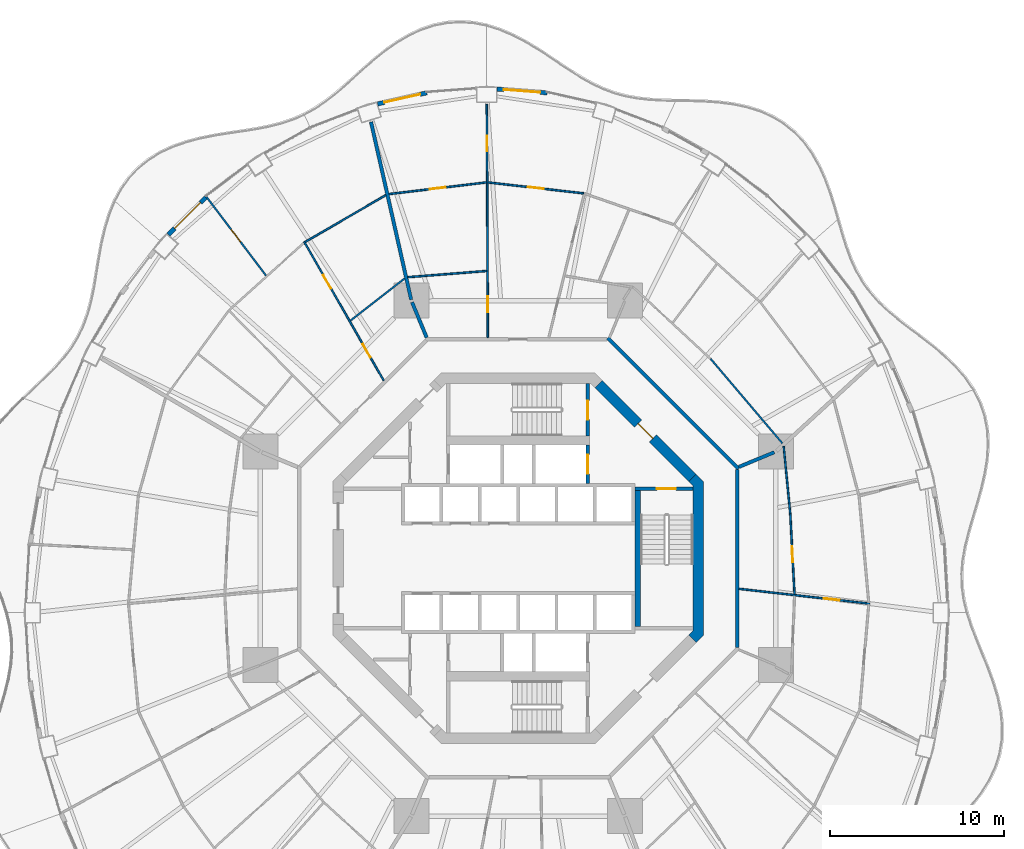
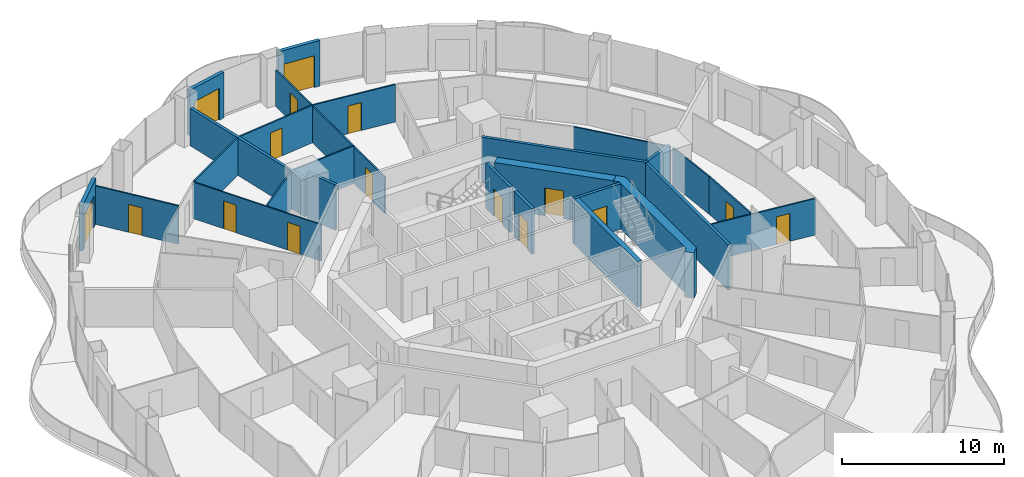
# One storey, part 17 of 21: 26 walls, 16 doors, 16 openings.
"""IFC4 building model written with IfcOpenShell, lengths in metres."""

from ifc_helpers import new_model, si_unit, direction, frame, frame_2d, origin, place, context, subcontext, project, spatial, polyline, rectangle, outline, extrude, material, layer, layer_set, type_object, element, fill, save


model = new_model("IFC4")

# Units and contexts
model_context = context("Model", 3, precision=1e-05, world=origin(), true_north=direction((0.0, 1.0)))
body_context = subcontext(model_context, "Body", "Model", "MODEL_VIEW")
ifc_project = project(units=[si_unit("LENGTHUNIT", "METRE"), si_unit("AREAUNIT", "SQUARE_METRE"), si_unit("VOLUMEUNIT", "CUBIC_METRE"), si_unit("PLANEANGLEUNIT", "RADIAN"), si_unit("MASSUNIT", "GRAM", prefix="KILO")], contexts=[model_context])

# Site, building, storey
site_placement = place(None, origin())
site = spatial("IfcSite", under=ifc_project, at=site_placement, CompositionType="ELEMENT")
building_placement = place(site_placement, origin())
building = spatial("IfcBuilding", under=site, at=building_placement, Name="Nagisa Residences", CompositionType="ELEMENT")
storey_placement = place(building_placement, frame((0.0, 0.0, 134.39990234375)))
storey = spatial("IfcBuildingStorey", under=building, at=storey_placement, Name="L33", CompositionType="ELEMENT", Elevation=134.39990234375)

# Walls
ifc_material_1 = material(Name="Gypsum board on steel studs", Category="steel")
ifc_layer_1 = layer(ifc_material_1, 0.199951171875)
ifc_layer_set_1 = layer_set([ifc_layer_1], Name="Apartment compartment wall EI60 200")
wall_type_1 = type_object("IfcWallType", Name="Apartment compartment wall EI60 200", PredefinedType="PARTITIONING", material=ifc_layer_set_1)
wall_1_placement = place(storey_placement, frame((12.6572265625, 5.24267578125, 0.0), z_axis=(0.0, 0.0, 1.0), x_axis=(0.923876145736, 0.382691608661, 0.0)))
element("IfcWall", 1, at=wall_1_placement, inside=storey, type_object=wall_type_1, Name="wall:L33:u00", PredefinedType="PARTITIONING", context=body_context, shape_type="SweptSolid", body=[
    extrude(rectangle(XDim=2.19970703125, YDim=0.199951171875, at=frame_2d((1.099853515625, 0.0))), origin(), (0.0, 0.0, 1.0), 3.440185546875),
])
wall_2_placement = place(storey_placement, frame((-5.24267578125, 12.6572265625, 0.0), z_axis=(0.0, 0.0, 1.0), x_axis=(-0.38273085373, 0.923859888513, 0.0)))
element("IfcWall", 2, at=wall_2_placement, inside=storey, type_object=wall_type_1, Name="wall:L33:u02", PredefinedType="PARTITIONING", context=body_context, shape_type="SweptSolid", body=[
    extrude(rectangle(XDim=2.199462890625, YDim=0.199951171875, at=frame_2d((1.099609375, 0.0))), origin(), (0.0, 0.0, 1.0), 3.440185546875),
])
wall_3_placement = place(storey_placement, frame((-6.1337890625, 14.830810546875, 0.0), z_axis=(0.0, 0.0, 1.0), x_axis=(-0.220337590808, 0.975423675167, 0.0)))
element("IfcWall", 3, at=wall_3_placement, inside=storey, type_object=wall_type_1, Name="wall:L33:u03", PredefinedType="PARTITIONING", context=body_context, shape_type="SweptSolid", body=[
    extrude(rectangle(XDim=10.450927734375, YDim=0.199951171875, at=frame_2d((5.2255859375, 0.0))), origin(), (0.0, 0.0, 1.0), 2.828125),
])
ifc_material_2 = material(Name="Gypsum board on steel studs", Category="steel")
ifc_layer_2 = layer(ifc_material_2, 0.199951171875)
ifc_layer_set_2 = layer_set([ifc_layer_2], Name="Apartment entry wall EI60 200")
wall_type_2 = type_object("IfcWallType", Name="Apartment entry wall EI60 200", PredefinedType="PARTITIONING", material=ifc_layer_set_2)
wall_4_placement = place(storey_placement, frame((12.564697265625, -5.1044921875, 0.0), z_axis=(0.0, 0.0, 1.0), x_axis=(0.0, 1.0, 0.0)))
element("IfcWall", 4, at=wall_4_placement, inside=storey, type_object=wall_type_2, Name="wall:L33:u10", PredefinedType="PARTITIONING", context=body_context, shape_type="SweptSolid", body=[
    extrude(rectangle(XDim=10.208984375, YDim=0.199951171875, at=frame_2d((5.1044921875, 0.0))), origin(), (0.0, 0.0, 1.0), 3.440185546875),
])
wall_5_placement = place(storey_placement, frame((12.635498046875, 5.1337890625, 0.0), z_axis=(0.0, 0.0, 1.0), x_axis=(-0.707106781187, 0.707106781187, 0.0)))
element("IfcWall", 5, at=wall_5_placement, inside=storey, type_object=wall_type_2, Name="wall:L33:u11", PredefinedType="PARTITIONING", context=body_context, shape_type="SweptSolid", body=[
    extrude(rectangle(XDim=10.609130859375, YDim=0.199951171875, at=frame_2d((5.3046875, 0.0))), origin(), (0.0, 0.0, 1.0), 3.440185546875),
])

# Wall, opening, door
ifc_material_3 = material(Name="Gypsum board on steel studs", Category="steel")
ifc_layer_3 = layer(ifc_material_3, 0.10009765625)
ifc_layer_set_3 = layer_set([ifc_layer_3], Name="Apartment partition 100")
wall_type_3 = type_object("IfcWallType", Name="Apartment partition 100", PredefinedType="PARTITIONING", material=ifc_layer_set_3)
wall_6_placement = place(storey_placement, frame((12.6640625, -1.74609375, 0.0), z_axis=(0.0, 0.0, 1.0), x_axis=(0.993605172276, -0.112910414164, 0.0)))
wall_6 = element("IfcWall", 6, at=wall_6_placement, inside=storey, type_object=wall_type_3, Name="wall:L33:u18", PredefinedType="PARTITIONING", context=body_context, shape_type="SweptSolid", body=[
    extrude(rectangle(XDim=7.544189453125, YDim=0.10009765625, at=frame_2d((3.77197265625, 0.0))), origin(), (0.0, 0.0, 1.0), 2.756103515625),
])
opening_1_placement = place(wall_6_placement, frame((4.900634765625, 0.0, 0.0)))
opening_1 = element("IfcOpeningElement", 7, at=opening_1_placement, cuts=wall_6, Name="Opening L33-U41", PredefinedType="OPENING", context=body_context, shape_type="SweptSolid", body=[
    extrude(rectangle(XDim=0.89990234375, YDim=2.10009765625, at=frame_2d((0.449951171875, 1.050048828125))), frame((0.0, 0.06005859375, 0.0), z_axis=(0.0, -1.0, 0.0), x_axis=(1.0, 0.0, 0.0)), (0.0, 0.0, 1.0), 0.1201171875),
])
ifc_material_4 = material(Name="Timber door set", Category="wood")
door_type_1 = type_object("IfcDoorType", Name="Apartment door 900x2100", OperationType="NOTDEFINED", PredefinedType="DOOR", material=ifc_material_4)
door_1_placement = place(opening_1_placement, origin())
door_1 = element("IfcDoor", 8, at=door_1_placement, inside=storey, type_object=door_type_1, Name="Door to kitchen, Apartment 33D", OperationType="SINGLE_SWING_LEFT", OverallHeight=2.10009765625, OverallWidth=0.89990234375, PredefinedType="DOOR", context=body_context, shape_type="SweptSolid", body=[
    extrude(rectangle(XDim=0.89990234375, YDim=2.10009765625, at=frame_2d((0.449951171875, 1.050048828125))), frame((0.0, 0.02490234375, 0.0), z_axis=(0.0, -1.0, 0.0), x_axis=(1.0, 0.0, 0.0)), (0.0, 0.0, 1.0), 0.050048828125),
])
fill(opening_1, door_1)

wall_7_placement = place(storey_placement, frame((15.84814453125, -2.058349609375, 0.0), z_axis=(0.0, 0.0, 1.0), x_axis=(-0.052509224895, 0.998620439056, 0.0)))
wall_7 = element("IfcWall", 9, at=wall_7_placement, inside=storey, type_object=wall_type_3, Name="wall:L33:u19", PredefinedType="PARTITIONING", context=body_context, shape_type="SweptSolid", body=[
    extrude(rectangle(XDim=4.6494140625, YDim=0.10009765625, at=frame_2d((2.32470703125, 0.0))), origin(), (0.0, 0.0, 1.0), 2.828125),
])
opening_2_placement = place(wall_7_placement, frame((1.849609375, 0.0, 0.0)))
opening_2 = element("IfcOpeningElement", 10, at=opening_2_placement, cuts=wall_7, Name="Opening L33-U43", PredefinedType="OPENING", context=body_context, shape_type="SweptSolid", body=[
    extrude(rectangle(XDim=0.89990234375, YDim=2.10009765625, at=frame_2d((0.449951171875, 1.050048828125))), frame((0.0, 0.06005859375, 0.0), z_axis=(0.0, -1.0, 0.0), x_axis=(1.0, 0.0, 0.0)), (0.0, 0.0, 1.0), 0.1201171875),
])
door_2_placement = place(opening_2_placement, origin())
door_2 = element("IfcDoor", 11, at=door_2_placement, inside=storey, type_object=door_type_1, Name="Door to laundry, Apartment 33D", OperationType="SINGLE_SWING_LEFT", OverallHeight=2.10009765625, OverallWidth=0.89990234375, PredefinedType="DOOR", context=body_context, shape_type="SweptSolid", body=[
    extrude(rectangle(XDim=0.89990234375, YDim=2.10009765625, at=frame_2d((0.449951171875, 1.050048828125))), frame((0.0, 0.02490234375, 0.0), z_axis=(0.0, -1.0, 0.0), x_axis=(1.0, 0.0, 0.0)), (0.0, 0.0, 1.0), 0.050048828125),
])
fill(opening_2, door_2)

# Walls
wall_8_placement = place(storey_placement, frame((15.601806640625, 2.58447265625, 0.0), z_axis=(0.0, 0.0, 1.0), x_axis=(-0.097196343206, 0.995265226393, 0.0)))
element("IfcWall", 12, at=wall_8_placement, inside=storey, type_object=wall_type_3, Name="wall:L33:u23", PredefinedType="PARTITIONING", context=body_context, shape_type="SweptSolid", body=[
    extrude(rectangle(XDim=3.855712890625, YDim=0.10009765625, at=frame_2d((1.927734375, 0.0))), origin(), (0.0, 0.0, 1.0), 2.828125),
])
wall_9_placement = place(storey_placement, frame((15.152587890625, 6.597412109375, 0.0), z_axis=(0.0, 0.0, 1.0), x_axis=(-0.647372160855, 0.762174051874, 0.0)))
element("IfcWall", 13, at=wall_9_placement, inside=storey, type_object=wall_type_3, Name="wall:L33:u26", PredefinedType="PARTITIONING", context=body_context, shape_type="SweptSolid", body=[
    extrude(rectangle(XDim=6.36279296875, YDim=0.10009765625, at=frame_2d((3.181396484375, 0.0))), origin(), (0.0, 0.0, 1.0), 2.828125),
])

# Wall, opening, door
wall_10_placement = place(storey_placement, frame((3.75146484375, 20.930419921875, 0.0), z_axis=(0.0, 0.0, 1.0), x_axis=(-0.993522105273, 0.113639017658, 0.0)))
wall_10 = element("IfcWall", 14, at=wall_10_placement, inside=storey, type_object=wall_type_3, Name="wall:L33:u38", PredefinedType="PARTITIONING", context=body_context, shape_type="SweptSolid", body=[
    extrude(rectangle(XDim=5.5126953125, YDim=0.10009765625, at=frame_2d((2.75634765625, 0.0))), origin(), (0.0, 0.0, 1.0), 2.828125),
])
opening_3_placement = place(wall_10_placement, frame((2.306396484375, 0.0, 0.0)))
opening_3 = element("IfcOpeningElement", 15, at=opening_3_placement, cuts=wall_10, Name="Opening L33-U48", PredefinedType="OPENING", context=body_context, shape_type="SweptSolid", body=[
    extrude(rectangle(XDim=0.89990234375, YDim=2.10009765625, at=frame_2d((0.449951171875, 1.050048828125))), frame((0.0, 0.06005859375, 0.0), z_axis=(0.0, -1.0, 0.0), x_axis=(1.0, 0.0, 0.0)), (0.0, 0.0, 1.0), 0.1201171875),
])
door_3_placement = place(opening_3_placement, frame((0.89990234375, 0.0, 0.0), x_axis=(-1.0, 0.0, 0.0)))
door_3 = element("IfcDoor", 16, at=door_3_placement, inside=storey, type_object=door_type_1, Name="Door to living room, Apartment 33E", OperationType="SINGLE_SWING_LEFT", OverallHeight=2.10009765625, OverallWidth=0.89990234375, PredefinedType="DOOR", context=body_context, shape_type="SweptSolid", body=[
    extrude(rectangle(XDim=0.89990234375, YDim=2.10009765625, at=frame_2d((0.449951171875, 1.050048828125))), frame((0.0, 0.02490234375, 0.0), z_axis=(0.0, -1.0, 0.0), x_axis=(1.0, 0.0, 0.0)), (0.0, 0.0, 1.0), 0.050048828125),
])
fill(opening_3, door_3)

# Wall, openings, doors
wall_11_placement = place(storey_placement, frame((-1.7353515625, 12.664794921875, 0.0), z_axis=(0.0, 0.0, 1.0), x_axis=(-0.004494500855, 0.99998989968, 0.0)))
wall_11 = element("IfcWall", 17, at=wall_11_placement, inside=storey, type_object=wall_type_3, Name="wall:L33:u39", PredefinedType="PARTITIONING", context=body_context, shape_type="SweptSolid", body=[
    extrude(rectangle(XDim=13.36279296875, YDim=0.10009765625, at=frame_2d((6.681396484375, 0.0))), origin(), (0.0, 0.0, 1.0), 2.756103515625),
])
opening_4_placement = place(wall_11_placement, frame((1.459228515625, 0.0, 0.0)))
opening_4 = element("IfcOpeningElement", 18, at=opening_4_placement, cuts=wall_11, Name="Opening L33-U46", PredefinedType="OPENING", context=body_context, shape_type="SweptSolid", body=[
    extrude(rectangle(XDim=0.89990234375, YDim=2.10009765625, at=frame_2d((0.449951171875, 1.050048828125))), frame((0.0, 0.06005859375, 0.0), z_axis=(0.0, -1.0, 0.0), x_axis=(1.0, 0.0, 0.0)), (0.0, 0.0, 1.0), 0.1201171875),
])
opening_5_placement = place(wall_11_placement, frame((10.680419921875, 0.0, 0.0)))
opening_5 = element("IfcOpeningElement", 19, at=opening_5_placement, cuts=wall_11, Name="Opening L33-U49", PredefinedType="OPENING", context=body_context, shape_type="SweptSolid", body=[
    extrude(rectangle(XDim=0.89990234375, YDim=2.10009765625, at=frame_2d((0.449951171875, 1.050048828125))), frame((0.0, 0.06005859375, 0.0), z_axis=(0.0, -1.0, 0.0), x_axis=(1.0, 0.0, 0.0)), (0.0, 0.0, 1.0), 0.1201171875),
])
door_4_placement = place(opening_4_placement, origin())
door_4 = element("IfcDoor", 20, at=door_4_placement, inside=storey, type_object=door_type_1, Name="Door to store, Apartment 33E", OperationType="SINGLE_SWING_RIGHT", OverallHeight=2.10009765625, OverallWidth=0.89990234375, PredefinedType="DOOR", context=body_context, shape_type="SweptSolid", body=[
    extrude(rectangle(XDim=0.89990234375, YDim=2.10009765625, at=frame_2d((0.449951171875, 1.050048828125))), frame((0.0, 0.02490234375, 0.0), z_axis=(0.0, -1.0, 0.0), x_axis=(1.0, 0.0, 0.0)), (0.0, 0.0, 1.0), 0.050048828125),
])
fill(opening_4, door_4)
door_5_placement = place(opening_5_placement, origin())
door_5 = element("IfcDoor", 21, at=door_5_placement, inside=storey, type_object=door_type_1, Name="Door to bedroom, Apartment 33E", OperationType="SINGLE_SWING_LEFT", OverallHeight=2.10009765625, OverallWidth=0.89990234375, PredefinedType="DOOR", context=body_context, shape_type="SweptSolid", body=[
    extrude(rectangle(XDim=0.89990234375, YDim=2.10009765625, at=frame_2d((0.449951171875, 1.050048828125))), frame((0.0, 0.02490234375, 0.0), z_axis=(0.0, -1.0, 0.0), x_axis=(1.0, 0.0, 0.0)), (0.0, 0.0, 1.0), 0.050048828125),
])
fill(opening_5, door_5)

# Wall
wall_12_placement = place(storey_placement, frame((-1.80224609375, 16.479248046875, 0.0), z_axis=(0.0, 0.0, 1.0), x_axis=(-0.996907698294, -0.078581429625, 0.0)))
element("IfcWall", 22, at=wall_12_placement, inside=storey, type_object=wall_type_3, Name="wall:L33:u40", PredefinedType="PARTITIONING", context=body_context, shape_type="SweptSolid", body=[
    extrude(rectangle(XDim=4.535888671875, YDim=0.10009765625, at=frame_2d((2.26806640625, 0.0))), origin(), (0.0, 0.0, 1.0), 2.828125),
])

# Wall, opening, door
wall_13_placement = place(storey_placement, frame((-1.824951171875, 21.556640625, 0.0), z_axis=(0.0, 0.0, 1.0), x_axis=(-0.992915053711, -0.11882632753, 0.0)))
wall_13 = element("IfcWall", 23, at=wall_13_placement, inside=storey, type_object=wall_type_3, Name="wall:L33:u41", PredefinedType="PARTITIONING", context=body_context, shape_type="SweptSolid", body=[
    extrude(rectangle(XDim=5.615234375, YDim=0.10009765625, at=frame_2d((2.8076171875, 0.0))), origin(), (0.0, 0.0, 1.0), 2.828125),
])
opening_6_placement = place(wall_13_placement, frame((2.357666015625, 0.0, 0.0)))
opening_6 = element("IfcOpeningElement", 24, at=opening_6_placement, cuts=wall_13, Name="Opening L33-U51", PredefinedType="OPENING", context=body_context, shape_type="SweptSolid", body=[
    extrude(rectangle(XDim=0.89990234375, YDim=2.10009765625, at=frame_2d((0.449951171875, 1.050048828125))), frame((0.0, 0.06005859375, 0.0), z_axis=(0.0, -1.0, 0.0), x_axis=(1.0, 0.0, 0.0)), (0.0, 0.0, 1.0), 0.1201171875),
])
door_6_placement = place(opening_6_placement, origin())
door_6 = element("IfcDoor", 25, at=door_6_placement, inside=storey, type_object=door_type_1, Name="Door to en-suite bathroom, Apartment 33E", OperationType="SINGLE_SWING_LEFT", OverallHeight=2.10009765625, OverallWidth=0.89990234375, PredefinedType="DOOR", context=body_context, shape_type="SweptSolid", body=[
    extrude(rectangle(XDim=0.89990234375, YDim=2.10009765625, at=frame_2d((0.449951171875, 1.050048828125))), frame((0.0, 0.02490234375, 0.0), z_axis=(0.0, -1.0, 0.0), x_axis=(1.0, 0.0, 0.0)), (0.0, 0.0, 1.0), 0.050048828125),
])
fill(opening_6, door_6)

# Walls
wall_14_placement = place(storey_placement, frame((-6.5029296875, 16.0537109375, 0.0), z_axis=(0.0, 0.0, 1.0), x_axis=(-0.789428807693, -0.613842127574, 0.0)))
element("IfcWall", 26, at=wall_14_placement, inside=storey, type_object=wall_type_3, Name="wall:L33:u42", PredefinedType="PARTITIONING", context=body_context, shape_type="SweptSolid", body=[
    extrude(rectangle(XDim=3.947509765625, YDim=0.10009765625, at=frame_2d((1.9736328125, 0.0))), origin(), (0.0, 0.0, 1.0), 2.828125),
])
wall_15_placement = place(storey_placement, frame((-7.586181640625, 20.827392578125, 0.0), z_axis=(0.0, 0.0, 1.0), x_axis=(-0.865093450578, -0.501610727325, 0.0)))
element("IfcWall", 27, at=wall_15_placement, inside=storey, type_object=wall_type_3, Name="wall:L33:u43", PredefinedType="PARTITIONING", context=body_context, shape_type="SweptSolid", body=[
    extrude(rectangle(XDim=5.343017578125, YDim=0.10009765625, at=frame_2d((2.67138671875, 0.0))), origin(), (0.0, 0.0, 1.0), 2.828125),
])

# Wall, openings, doors
wall_16_placement = place(storey_placement, frame((-7.707763671875, 10.197998046875, 0.0), z_axis=(0.0, 0.0, 1.0), x_axis=(-0.497449462689, 0.867492957937, 0.0)))
wall_16 = element("IfcWall", 28, at=wall_16_placement, inside=storey, type_object=wall_type_3, Name="wall:L33:u44", PredefinedType="PARTITIONING", context=body_context, shape_type="SweptSolid", body=[
    extrude(rectangle(XDim=9.1845703125, YDim=0.10009765625, at=frame_2d((4.59228515625, 0.0))), origin(), (0.0, 0.0, 1.0), 2.756103515625),
])
opening_7_placement = place(wall_16_placement, frame((1.5107421875, 0.0, 0.0)))
opening_7 = element("IfcOpeningElement", 29, at=opening_7_placement, cuts=wall_16, Name="Opening L33-U02", PredefinedType="OPENING", context=body_context, shape_type="SweptSolid", body=[
    extrude(rectangle(XDim=0.89990234375, YDim=2.10009765625, at=frame_2d((0.449951171875, 1.050048828125))), frame((0.0, 0.06005859375, 0.0), z_axis=(0.0, -1.0, 0.0), x_axis=(1.0, 0.0, 0.0)), (0.0, 0.0, 1.0), 0.1201171875),
])
opening_8_placement = place(wall_16_placement, frame((6.077880859375, 0.0, 0.0)))
opening_8 = element("IfcOpeningElement", 30, at=opening_8_placement, cuts=wall_16, Name="Opening L33-U04", PredefinedType="OPENING", context=body_context, shape_type="SweptSolid", body=[
    extrude(rectangle(XDim=0.89990234375, YDim=2.10009765625, at=frame_2d((0.449951171875, 1.050048828125))), frame((0.0, 0.06005859375, 0.0), z_axis=(0.0, -1.0, 0.0), x_axis=(1.0, 0.0, 0.0)), (0.0, 0.0, 1.0), 0.1201171875),
])
door_7_placement = place(opening_7_placement, frame((0.89990234375, 0.0, 0.0), x_axis=(-1.0, 0.0, 0.0)))
door_7 = element("IfcDoor", 31, at=door_7_placement, inside=storey, type_object=door_type_1, Name="Door to family bathroom, Apartment 33A", OperationType="SINGLE_SWING_LEFT", OverallHeight=2.10009765625, OverallWidth=0.89990234375, PredefinedType="DOOR", context=body_context, shape_type="SweptSolid", body=[
    extrude(rectangle(XDim=0.89990234375, YDim=2.10009765625, at=frame_2d((0.449951171875, 1.050048828125))), frame((0.0, 0.02490234375, 0.0), z_axis=(0.0, -1.0, 0.0), x_axis=(1.0, 0.0, 0.0)), (0.0, 0.0, 1.0), 0.050048828125),
])
fill(opening_7, door_7)
door_8_placement = place(opening_8_placement, frame((0.89990234375, 0.0, 0.0), x_axis=(-1.0, 0.0, 0.0)))
door_8 = element("IfcDoor", 32, at=door_8_placement, inside=storey, type_object=door_type_1, Name="Door to kitchen, Apartment 33A", OperationType="SINGLE_SWING_LEFT", OverallHeight=2.10009765625, OverallWidth=0.89990234375, PredefinedType="DOOR", context=body_context, shape_type="SweptSolid", body=[
    extrude(rectangle(XDim=0.89990234375, YDim=2.10009765625, at=frame_2d((0.449951171875, 1.050048828125))), frame((0.0, 0.02490234375, 0.0), z_axis=(0.0, -1.0, 0.0), x_axis=(1.0, 0.0, 0.0)), (0.0, 0.0, 1.0), 0.050048828125),
])
fill(opening_8, door_8)

# Wall, opening, door
wall_17_placement = place(storey_placement, frame((-14.451904296875, 16.208251953125, 0.0), z_axis=(0.0, 0.0, 1.0), x_axis=(-0.603267974074, 0.797538557975, 0.0)))
wall_17 = element("IfcWall", 33, at=wall_17_placement, inside=storey, type_object=wall_type_3, Name="wall:L33:u46", PredefinedType="PARTITIONING", context=body_context, shape_type="SweptSolid", body=[
    extrude(rectangle(XDim=5.764404296875, YDim=0.10009765625, at=frame_2d((2.88232421875, 0.0))), origin(), (0.0, 0.0, 1.0), 2.905029296875),
])
opening_9_placement = place(wall_17_placement, frame((2.432373046875, 0.0, 0.0)))
opening_9 = element("IfcOpeningElement", 34, at=opening_9_placement, cuts=wall_17, Name="Opening L33-U07", PredefinedType="OPENING", context=body_context, shape_type="SweptSolid", body=[
    extrude(rectangle(XDim=0.89990234375, YDim=2.10009765625, at=frame_2d((0.449951171875, 1.050048828125))), frame((0.0, 0.06005859375, 0.0), z_axis=(0.0, -1.0, 0.0), x_axis=(1.0, 0.0, 0.0)), (0.0, 0.0, 1.0), 0.1201171875),
])
door_9_placement = place(opening_9_placement, origin())
door_9 = element("IfcDoor", 35, at=door_9_placement, inside=storey, type_object=door_type_1, Name="Door to master bedroom, Apartment 33A", OperationType="SINGLE_SWING_LEFT", OverallHeight=2.10009765625, OverallWidth=0.89990234375, PredefinedType="DOOR", context=body_context, shape_type="SweptSolid", body=[
    extrude(rectangle(XDim=0.89990234375, YDim=2.10009765625, at=frame_2d((0.449951171875, 1.050048828125))), frame((0.0, 0.02490234375, 0.0), z_axis=(0.0, -1.0, 0.0), x_axis=(1.0, 0.0, 0.0)), (0.0, 0.0, 1.0), 0.050048828125),
])
fill(opening_9, door_9)

ifc_material_5 = material(Name="Precast concrete C40/50", Category="concrete")
ifc_layer_4 = layer(ifc_material_5, 0.25)
ifc_layer_set_4 = layer_set([ifc_layer_4], Name="BALCONY DOOR WALL 250")
wall_type_4 = type_object("IfcWallType", Name="BALCONY DOOR WALL 250", PredefinedType="SOLIDWALL", material=ifc_layer_set_4)
wall_18_placement = place(storey_placement, frame((-1.2109375, 26.907958984375, 0.0), z_axis=(0.0, 0.0, 1.0), x_axis=(0.997232166829, -0.074350557769, 0.0)))
wall_18 = element("IfcWall", 36, at=wall_18_placement, inside=storey, type_object=wall_type_4, Name="wall:L33:bay11", PredefinedType="SOLIDWALL", context=body_context, shape_type="SweptSolid", body=[
    extrude(rectangle(XDim=2.873291015625, YDim=0.25, at=frame_2d((1.4365234375, 0.0))), origin(), (0.0, 0.0, 1.0), 3.440185546875),
])
opening_10_placement = place(wall_18_placement, frame((0.386474609375, 0.0, 0.0)))
opening_10 = element("IfcOpeningElement", 37, at=opening_10_placement, cuts=wall_18, Name="Opening BD-L33-04", PredefinedType="OPENING", context=body_context, shape_type="SweptSolid", body=[
    extrude(rectangle(XDim=2.10009765625, YDim=2.39990234375, at=frame_2d((1.050048828125, 1.199951171875))), frame((0.0, 0.135009765625, 0.0), z_axis=(0.0, -1.0, 0.0), x_axis=(1.0, 0.0, 0.0)), (0.0, 0.0, 1.0), 0.27001953125),
])
ifc_material_6 = material(Name="Aluminium and clear glass", Category="aluminium")
door_type_2 = type_object("IfcDoorType", Name="BALCONY SLIDING DOOR 2100x2400", OperationType="SLIDING_TO_LEFT", PredefinedType="DOOR", material=ifc_material_6)
door_10_placement = place(opening_10_placement, origin())
door_10 = element("IfcDoor", 38, at=door_10_placement, inside=storey, type_object=door_type_2, Name="door:L33:bay11", OperationType="SLIDING_TO_LEFT", OverallHeight=2.39990234375, OverallWidth=2.10009765625, PredefinedType="DOOR", context=body_context, shape_type="SweptSolid", body=[
    extrude(rectangle(XDim=2.10009765625, YDim=2.39990234375, at=frame_2d((1.050048828125, 1.199951171875))), frame((0.0, 0.02490234375, 0.0), z_axis=(0.0, -1.0, 0.0), x_axis=(1.0, 0.0, 0.0)), (0.0, 0.0, 1.0), 0.050048828125),
])
fill(opening_10, door_10)

wall_19_placement = place(storey_placement, frame((-8.054931640625, 26.05908203125, 0.0), z_axis=(0.0, 0.0, 1.0), x_axis=(0.975339035722, 0.220711951186, 0.0)))
wall_19 = element("IfcWall", 39, at=wall_19_placement, inside=storey, type_object=wall_type_4, Name="wall:L33:bay13", PredefinedType="SOLIDWALL", context=body_context, shape_type="SweptSolid", body=[
    extrude(rectangle(XDim=2.890380859375, YDim=0.25, at=frame_2d((1.4453125, 0.0))), origin(), (0.0, 0.0, 1.0), 3.440185546875),
])
opening_11_placement = place(wall_19_placement, frame((0.395263671875, 0.0, 0.0)))
opening_11 = element("IfcOpeningElement", 40, at=opening_11_placement, cuts=wall_19, Name="Opening BD-L33-05", PredefinedType="OPENING", context=body_context, shape_type="SweptSolid", body=[
    extrude(rectangle(XDim=2.10009765625, YDim=2.39990234375, at=frame_2d((1.050048828125, 1.199951171875))), frame((0.0, 0.135009765625, 0.0), z_axis=(0.0, -1.0, 0.0), x_axis=(1.0, 0.0, 0.0)), (0.0, 0.0, 1.0), 0.27001953125),
])
door_11_placement = place(opening_11_placement, origin())
door_11 = element("IfcDoor", 41, at=door_11_placement, inside=storey, type_object=door_type_2, Name="door:L33:bay13", OperationType="SLIDING_TO_LEFT", OverallHeight=2.39990234375, OverallWidth=2.10009765625, PredefinedType="DOOR", context=body_context, shape_type="SweptSolid", body=[
    extrude(rectangle(XDim=2.10009765625, YDim=2.39990234375, at=frame_2d((1.050048828125, 1.199951171875))), frame((0.0, 0.02490234375, 0.0), z_axis=(0.0, -1.0, 0.0), x_axis=(1.0, 0.0, 0.0)), (0.0, 0.0, 1.0), 0.050048828125),
])
fill(opening_11, door_11)

wall_20_placement = place(storey_placement, frame((-20.050048828125, 18.56884765625, 0.0), z_axis=(0.0, 0.0, 1.0), x_axis=(0.707857823335, 0.706354940482, 0.0)))
wall_20 = element("IfcWall", 42, at=wall_20_placement, inside=storey, type_object=wall_type_4, Name="wall:L33:bay17", PredefinedType="SOLIDWALL", context=body_context, shape_type="SweptSolid", body=[
    extrude(rectangle(XDim=3.08642578125, YDim=0.25, at=frame_2d((1.543212890625, 0.0))), origin(), (0.0, 0.0, 1.0), 3.440185546875),
])
opening_12_placement = place(wall_20_placement, frame((0.493408203125, 0.0, 0.0)))
opening_12 = element("IfcOpeningElement", 43, at=opening_12_placement, cuts=wall_20, Name="Opening BD-L33-06", PredefinedType="OPENING", context=body_context, shape_type="SweptSolid", body=[
    extrude(rectangle(XDim=2.10009765625, YDim=2.39990234375, at=frame_2d((1.050048828125, 1.199951171875))), frame((0.0, 0.135009765625, 0.0), z_axis=(0.0, -1.0, 0.0), x_axis=(1.0, 0.0, 0.0)), (0.0, 0.0, 1.0), 0.27001953125),
])
door_12_placement = place(opening_12_placement, origin())
door_12 = element("IfcDoor", 44, at=door_12_placement, inside=storey, type_object=door_type_2, Name="door:L33:bay17", OperationType="SLIDING_TO_LEFT", OverallHeight=2.39990234375, OverallWidth=2.10009765625, PredefinedType="DOOR", context=body_context, shape_type="SweptSolid", body=[
    extrude(rectangle(XDim=2.10009765625, YDim=2.39990234375, at=frame_2d((1.050048828125, 1.199951171875))), frame((0.0, 0.02490234375, 0.0), z_axis=(0.0, -1.0, 0.0), x_axis=(1.0, 0.0, 0.0)), (0.0, 0.0, 1.0), 0.050048828125),
])
fill(opening_12, door_12)

ifc_material_7 = material(Name="Concrete C60", Category="concrete")
ifc_layer_5 = layer(ifc_material_7, 0.60009765625)
ifc_layer_set_5 = layer_set([ifc_layer_5], Name="Core shear wall 600")
wall_type_5 = type_object("IfcWallType", Name="Core shear wall 600", PredefinedType="SHEAR", material=ifc_layer_set_5)
wall_21_placement = place(storey_placement, frame((9.98828125, 4.613037109375, 0.0), z_axis=(0.0, 0.0, 1.0), x_axis=(-0.707106781187, 0.707106781187, 0.0)))
wall_21 = element("IfcWall", 45, at=wall_21_placement, inside=storey, type_object=wall_type_5, Name="wall:L33:core:flat1", PredefinedType="SHEAR", context=body_context, shape_type="SweptSolid", body=[
    extrude(rectangle(XDim=7.601806640625, YDim=0.60009765625, at=frame_2d((3.80078125, 0.0))), origin(), (0.0, 0.0, 1.0), 3.440185546875),
])
opening_13_placement = place(wall_21_placement, frame((3.200927734375, 0.0, 0.0)))
opening_13 = element("IfcOpeningElement", 46, at=opening_13_placement, cuts=wall_21, Name="Opening L33-C17", PredefinedType="OPENING", context=body_context, shape_type="SweptSolid", body=[
    extrude(rectangle(XDim=1.199951171875, YDim=2.10009765625, at=frame_2d((0.60009765625, 1.050048828125))), frame((0.0, 0.31005859375, 0.0), z_axis=(0.0, -1.0, 0.0), x_axis=(1.0, 0.0, 0.0)), (0.0, 0.0, 1.0), 0.6201171875),
])
ifc_material_8 = material(Name="Steel fire door", Category="steel")
door_type_3 = type_object("IfcDoorType", Name="Fire door EI60 1200x2100 single swing", OperationType="NOTDEFINED", PredefinedType="DOOR", material=ifc_material_8)
door_13_placement = place(opening_13_placement, origin())
door_13 = element("IfcDoor", 47, at=door_13_placement, inside=storey, type_object=door_type_3, Name="Firefighting lobby 1 door L33", OperationType="SINGLE_SWING_LEFT", OverallHeight=2.10009765625, OverallWidth=1.199951171875, PredefinedType="DOOR", context=body_context, shape_type="SweptSolid", body=[
    extrude(rectangle(XDim=1.199951171875, YDim=2.10009765625, at=frame_2d((0.60009765625, 1.050048828125))), frame((0.0, 0.02490234375, 0.0), z_axis=(0.0, -1.0, 0.0), x_axis=(1.0, 0.0, 0.0)), (0.0, 0.0, 1.0), 0.050048828125),
])
fill(opening_13, door_13)

# Wall
wall_22_placement = place(storey_placement, origin())
element("IfcWall", 48, at=wall_22_placement, inside=storey, type_object=wall_type_5, Name="wall:L33:core:flat0", PredefinedType="SHEAR", context=body_context, shape_type="SweptSolid", body=[
    extrude(outline(polyline([(9.776123046875, -4.40087890625), (10.024658203125, -4.15234375), (10.024658203125, -3.801025390625), (10.024658203125, 4.15234375), (9.776123046875, 4.40087890625), (10.200439453125, 4.8251953125), (10.62451171875, 4.40087890625), (10.62451171875, -4.40087890625), (10.200439453125, -4.8251953125), (9.776123046875, -4.40087890625)])), origin(), (0.0, 0.0, 1.0), 3.440185546875),
])

# Wall, opening, door
ifc_material_9 = material(Name="Concrete C60", Category="concrete")
ifc_layer_6 = layer(ifc_material_9, 0.199951171875)
ifc_layer_set_6 = layer_set([ifc_layer_6], Name="Lift shaft wall 200")
wall_type_6 = type_object("IfcWallType", Name="Lift shaft wall 200", PredefinedType="SOLIDWALL", material=ifc_layer_set_6)
wall_23_placement = place(storey_placement, frame((4.0, 4.300048828125, 0.0), z_axis=(0.0, 0.0, 1.0), x_axis=(0.0, 1.0, 0.0)))
wall_23 = element("IfcWall", 49, at=wall_23_placement, inside=storey, type_object=wall_type_6, Name="wall:L33:Nb3", PredefinedType="SOLIDWALL", context=body_context, shape_type="SweptSolid", body=[
    extrude(rectangle(XDim=2.199951171875, YDim=0.199951171875, at=frame_2d((1.10009765625, 0.0))), origin(), (0.0, 0.0, 1.0), 3.440185546875),
])
opening_14_placement = place(wall_23_placement, frame((0.550048828125, 0.0, 0.0)))
opening_14 = element("IfcOpeningElement", 50, at=opening_14_placement, cuts=wall_23, Name="Opening L33-C06", PredefinedType="OPENING", context=body_context, shape_type="SweptSolid", body=[
    extrude(rectangle(XDim=1.10009765625, YDim=2.10009765625, at=frame_2d((0.550048828125, 1.050048828125))), frame((0.0, 0.10986328125, 0.0), z_axis=(0.0, -1.0, 0.0), x_axis=(1.0, 0.0, 0.0)), (0.0, 0.0, 1.0), 0.219970703125),
])
ifc_material_10 = material(Name="Stainless steel", Category="steel")
door_type_4 = type_object("IfcDoorType", Name="Lift landing door 1100x2100", OperationType="DOUBLE_DOOR_SLIDING", PredefinedType="DOOR", material=ifc_material_10)
door_14_placement = place(opening_14_placement, origin())
door_14 = element("IfcDoor", 51, at=door_14_placement, inside=storey, type_object=door_type_4, Name="Landing door FL1 L33", OperationType="DOUBLE_DOOR_SLIDING", OverallHeight=2.10009765625, OverallWidth=1.10009765625, PredefinedType="DOOR", context=body_context, shape_type="SweptSolid", body=[
    extrude(rectangle(XDim=1.10009765625, YDim=2.10009765625, at=frame_2d((0.550048828125, 1.050048828125))), frame((0.0, 0.02490234375, 0.0), z_axis=(0.0, -1.0, 0.0), x_axis=(1.0, 0.0, 0.0)), (0.0, 0.0, 1.0), 0.050048828125),
])
fill(opening_14, door_14)

ifc_material_11 = material(Name="Concrete C60", Category="concrete")
ifc_layer_7 = layer(ifc_material_11, 0.199951171875)
ifc_layer_set_7 = layer_set([ifc_layer_7], Name="Stair enclosure wall 200")
wall_type_7 = type_object("IfcWallType", Name="Stair enclosure wall 200", PredefinedType="SOLIDWALL", material=ifc_layer_set_7)
wall_24_placement = place(storey_placement, frame((6.699951171875, 4.0, 0.0), z_axis=(0.0, 0.0, 1.0), x_axis=(1.0, 0.0, 0.0)))
wall_24 = element("IfcWall", 52, at=wall_24_placement, inside=storey, type_object=wall_type_7, Name="wall:L33:SE_n", PredefinedType="SOLIDWALL", context=body_context, shape_type="SweptSolid", body=[
    extrude(rectangle(XDim=3.32470703125, YDim=0.199951171875, at=frame_2d((1.662353515625, 0.0))), origin(), (0.0, 0.0, 1.0), 3.440185546875),
])
opening_15_placement = place(wall_24_placement, frame((1.25, 0.0, 0.0)))
opening_15 = element("IfcOpeningElement", 53, at=opening_15_placement, cuts=wall_24, Name="Opening L33-C09", PredefinedType="OPENING", context=body_context, shape_type="SweptSolid", body=[
    extrude(rectangle(XDim=1.10009765625, YDim=2.10009765625, at=frame_2d((0.550048828125, 1.050048828125))), frame((0.0, 0.10986328125, 0.0), z_axis=(0.0, -1.0, 0.0), x_axis=(1.0, 0.0, 0.0)), (0.0, 0.0, 1.0), 0.219970703125),
])
ifc_material_12 = material(Name="Steel fire door", Category="steel")
door_type_5 = type_object("IfcDoorType", Name="Fire door EI90 1100x2100 single swing", OperationType="NOTDEFINED", PredefinedType="DOOR", material=ifc_material_12)
door_15_placement = place(opening_15_placement, frame((1.10009765625, 0.0, 0.0), x_axis=(-1.0, 0.0, 0.0)))
door_15 = element("IfcDoor", 54, at=door_15_placement, inside=storey, type_object=door_type_5, Name="Stair door ST-E L33", OperationType="SINGLE_SWING_LEFT", OverallHeight=2.10009765625, OverallWidth=1.10009765625, PredefinedType="DOOR", context=body_context, shape_type="SweptSolid", body=[
    extrude(rectangle(XDim=1.10009765625, YDim=2.10009765625, at=frame_2d((0.550048828125, 1.050048828125))), frame((0.0, 0.02490234375, 0.0), z_axis=(0.0, -1.0, 0.0), x_axis=(1.0, 0.0, 0.0)), (0.0, 0.0, 1.0), 0.050048828125),
])
fill(opening_15, door_15)

wall_25_placement = place(storey_placement, frame((4.0, 7.024658203125, 0.0), z_axis=(0.0, 0.0, 1.0), x_axis=(0.0, 1.0, 0.0)))
wall_25 = element("IfcWall", 55, at=wall_25_placement, inside=storey, type_object=wall_type_7, Name="wall:L33:SN_e", PredefinedType="SOLIDWALL", context=body_context, shape_type="SweptSolid", body=[
    extrude(rectangle(XDim=3.0, YDim=0.199951171875, at=frame_2d((1.5, 0.0))), origin(), (0.0, 0.0, 1.0), 3.440185546875),
])
opening_16_placement = place(wall_25_placement, frame((0.92529296875, 0.0, 0.0)))
opening_16 = element("IfcOpeningElement", 56, at=opening_16_placement, cuts=wall_25, Name="Opening L33-C10", PredefinedType="OPENING", context=body_context, shape_type="SweptSolid", body=[
    extrude(rectangle(XDim=1.10009765625, YDim=2.10009765625, at=frame_2d((0.550048828125, 1.050048828125))), frame((0.0, 0.10986328125, 0.0), z_axis=(0.0, -1.0, 0.0), x_axis=(1.0, 0.0, 0.0)), (0.0, 0.0, 1.0), 0.219970703125),
])
door_16_placement = place(opening_16_placement, origin())
door_16 = element("IfcDoor", 57, at=door_16_placement, inside=storey, type_object=door_type_5, Name="Stair door ST-N L33", OperationType="SINGLE_SWING_RIGHT", OverallHeight=2.10009765625, OverallWidth=1.10009765625, PredefinedType="DOOR", context=body_context, shape_type="SweptSolid", body=[
    extrude(rectangle(XDim=1.10009765625, YDim=2.10009765625, at=frame_2d((0.550048828125, 1.050048828125))), frame((0.0, 0.02490234375, 0.0), z_axis=(0.0, -1.0, 0.0), x_axis=(1.0, 0.0, 0.0)), (0.0, 0.0, 1.0), 0.050048828125),
])
fill(opening_16, door_16)

# Wall
wall_26_placement = place(storey_placement, origin())
element("IfcWall", 58, at=wall_26_placement, inside=storey, type_object=wall_type_7, Name="wall:L33:SE_w", PredefinedType="SOLIDWALL", context=body_context, shape_type="SweptSolid", body=[
    extrude(outline(polyline([(7.024658203125, -3.89990234375), (6.699951171875, -3.89990234375), (6.699951171875, 3.89990234375), (7.024658203125, 3.89990234375), (7.024658203125, -3.89990234375)])), origin(), (0.0, 0.0, 1.0), 3.440185546875),
])

save(model, "model.ifc")
